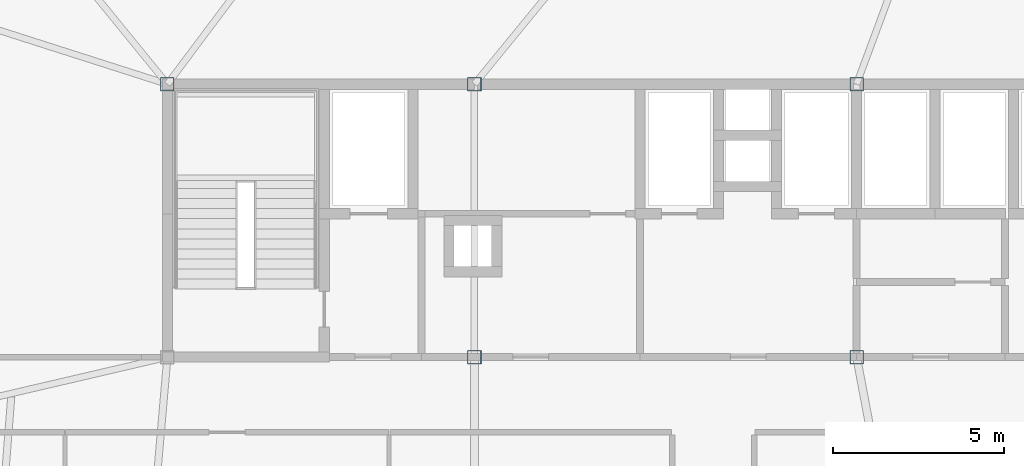
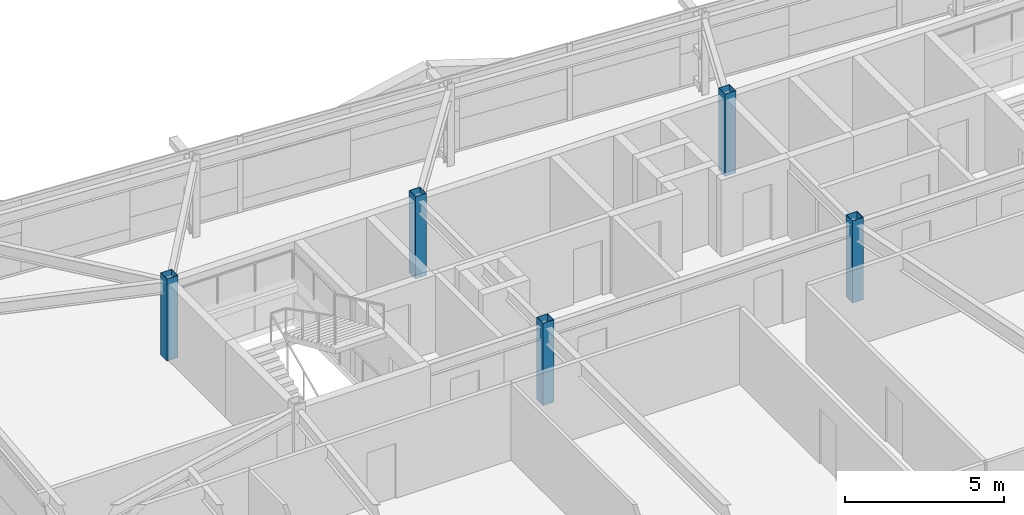
# One storey, part 2 of 39: 5 columns.
"""IFC4 building model written with IfcOpenShell, lengths in metres."""

import ifcopenshell
import ifcopenshell.guid

model = None  # the IFC model being written
_history = None  # IfcOwnerHistory: only IFC2X3 demands one
_inside = {}  # id of a spatial element -> (the spatial element, [elements in it])
_under = {}  # id of a project, library or spatial element -> (it, [spatial elements below it])
_declared = {}  # id of a project -> (the project, [libraries it declares])
_typed = {}  # id of a type object -> (the type object, [elements of that type])
_made_of = {}  # id of a material, layer set ... -> (it, [elements and type objects made of it])


def new_model(schema):
    """Start an empty IFC model of exactly this schema.

    Asked for "IFC4X3", IfcOpenShell would pick the latest addendum, in which some entities
    have other attributes; the version numbers below select the first issue.
    IFC2X3 requires an IfcOwnerHistory on every rooted entity: one is made here for all.
    """
    global model, _history
    if schema == "IFC4X3":
        model = ifcopenshell.file(schema_version=(4, 3, 0, 0))
    else:
        model = ifcopenshell.file(schema=schema)
    _inside.clear()
    _under.clear()
    _declared.clear()
    _typed.clear()
    _made_of.clear()
    _history = None
    if model.schema == "IFC2X3":
        org = make("IfcOrganization", Name="unknown")
        user = make(
            "IfcPersonAndOrganization",
            ThePerson=make("IfcPerson", FamilyName="unknown"),
            TheOrganization=org,
        )
        app = make(
            "IfcApplication",
            ApplicationDeveloper=org,
            Version="unknown",
            ApplicationFullName="unknown",
            ApplicationIdentifier="unknown",
        )
        _history = make(
            "IfcOwnerHistory",
            OwningUser=user,
            OwningApplication=app,
            ChangeAction="ADDED",
            CreationDate=0,
        )
    return model


def make(cls, **values):
    """One entity of the class cls with the attributes given. An attribute that is None is left unset."""
    return model.create_entity(
        cls, **{name: value for name, value in values.items() if value is not None}
    )


def rooted(cls, **values):
    """An entity with a GlobalId (a new one), such as an element, a storey or a relation."""
    return make(cls, GlobalId=ifcopenshell.guid.new(), OwnerHistory=_history, **values)


def si_unit(unit_type, name, prefix=None):
    """IfcSIUnit, for example si_unit("LENGTHUNIT", "METRE", prefix="MILLI")."""
    return make("IfcSIUnit", UnitType=unit_type, Prefix=prefix, Name=name)


def assignment(units):
    """IfcUnitAssignment: the units of a project."""
    return None if units is None else make("IfcUnitAssignment", Units=units)


def point(xyz):
    """IfcCartesianPoint."""
    return None if xyz is None else make("IfcCartesianPoint", Coordinates=xyz)


def direction(xyz):
    """IfcDirection."""
    return None if xyz is None else make("IfcDirection", DirectionRatios=xyz)


def frame(location, z_axis=None, x_axis=None):
    """IfcAxis2Placement3D, a coordinate frame: its origin and axes. An axis left out is left unset."""
    return make(
        "IfcAxis2Placement3D",
        Location=point(location),
        Axis=direction(z_axis),
        RefDirection=direction(x_axis),
    )


def frame_2d(location, x_axis=None):
    """IfcAxis2Placement2D, a coordinate frame in the plane: its origin and x axis."""
    return make(
        "IfcAxis2Placement2D", Location=point(location), RefDirection=direction(x_axis)
    )


def origin():
    """The frame at (0, 0, 0) with its axes left unset."""
    return frame((0.0, 0.0, 0.0))


def origin_2d():
    """The frame at (0, 0) in the plane with its x axis left unset."""
    return frame_2d((0.0, 0.0))


def place(relative_to, where):
    """IfcLocalPlacement: puts the frame where relative to a parent placement (None: the world)."""
    return make(
        "IfcLocalPlacement", PlacementRelTo=relative_to, RelativePlacement=where
    )


def context(
    kind, dimensions, precision=None, world=None, true_north=None, identifier=None
):
    """IfcGeometricRepresentationContext, for example the 3D "Model" context."""
    return make(
        "IfcGeometricRepresentationContext",
        ContextIdentifier=identifier,
        ContextType=kind,
        CoordinateSpaceDimension=dimensions,
        Precision=precision,
        WorldCoordinateSystem=world,
        TrueNorth=true_north,
    )


def subcontext(parent, identifier, kind, view, scale=None):
    """IfcGeometricRepresentationSubContext, for example "Body" below "Model"."""
    return make(
        "IfcGeometricRepresentationSubContext",
        ContextIdentifier=identifier,
        ContextType=kind,
        ParentContext=parent,
        TargetScale=scale,
        TargetView=view,
    )


def project(units=None, contexts=None):
    """IfcProject with its units and contexts."""
    return rooted(
        "IfcProject",
        Name="project",
        RepresentationContexts=contexts,
        UnitsInContext=assignment(units),
    )


def spatial(cls, under=None, at=None, **own):
    """A site, building, storey or space (cls), placed at a placement, below another one or the project."""
    s = rooted(cls, ObjectPlacement=at, **own)
    if under is not None:
        _under.setdefault(under.id(), (under, []))[1].append(s)
    return s


def profile(cls, at=None, kind="AREA", **sizes):
    """A parametric profile (cls). Its sizes go by their IFC names, for example OverallWidth=200.0."""
    return make(cls, ProfileType=kind, Position=at, **sizes)


def hollow_rectangle(**sizes):
    """IfcRectangleHollowProfileDef."""
    return profile("IfcRectangleHollowProfileDef", **sizes)


def extrude(swept, where, along, depth):
    """IfcExtrudedAreaSolid: the profile swept, set in the frame where, extruded along a direction by depth."""
    return make(
        "IfcExtrudedAreaSolid",
        SweptArea=swept,
        Position=where,
        ExtrudedDirection=direction(along),
        Depth=depth,
    )


def shape(context_of_items, identifier, shape_type, items):
    """IfcShapeRepresentation: the items that make up one representation, for example the "Body"."""
    return make(
        "IfcShapeRepresentation",
        ContextOfItems=context_of_items,
        RepresentationIdentifier=identifier,
        RepresentationType=shape_type,
        Items=items,
    )


def source(mapping_origin, context_of_items, identifier, shape_type, items):
    """IfcRepresentationMap: a shape defined once, which mapped items show again and again."""
    return make(
        "IfcRepresentationMap",
        MappingOrigin=mapping_origin,
        MappedRepresentation=shape(context_of_items, identifier, shape_type, items),
    )


def transform(
    local_origin,
    x_axis=None,
    y_axis=None,
    z_axis=None,
    scale=None,
    scale2=None,
    scale3=None,
    uniform=True,
):
    """IfcCartesianTransformationOperator3D, or its non-uniform kind. x_axis, y_axis, z_axis: its Axis1, 2, 3."""
    if uniform:
        return make(
            "IfcCartesianTransformationOperator3D",
            Axis1=direction(x_axis),
            Axis2=direction(y_axis),
            LocalOrigin=point(local_origin),
            Scale=scale,
            Axis3=direction(z_axis),
        )
    return make(
        "IfcCartesianTransformationOperator3DnonUniform",
        Axis1=direction(x_axis),
        Axis2=direction(y_axis),
        LocalOrigin=point(local_origin),
        Scale=scale,
        Axis3=direction(z_axis),
        Scale2=scale2,
        Scale3=scale3,
    )


def mapped(mapping_source, mapping_target):
    """IfcMappedItem: shows the shape of a source again, moved by a transform."""
    return make(
        "IfcMappedItem", MappingSource=mapping_source, MappingTarget=mapping_target
    )


def material(Name=None, Category=None):
    """IfcMaterial."""
    return make("IfcMaterial", Name=Name, Category=Category)


def material_profile(
    of_material, cross_section, Name=None, Category=None, Priority=None
):
    """IfcMaterialProfile: a cross section and its material."""
    return make(
        "IfcMaterialProfile",
        Name=Name,
        Material=of_material,
        Profile=cross_section,
        Priority=Priority,
        Category=Category,
    )


def profile_set(profiles, Name=None, composite=None):
    """IfcMaterialProfileSet."""
    return make(
        "IfcMaterialProfileSet",
        Name=Name,
        MaterialProfiles=profiles,
        CompositeProfile=composite,
    )


def made_of(thing, what):
    """Note that an element or type object is made of a material, layer set ...; save() writes the relation."""
    if what is not None:
        _made_of.setdefault(what.id(), (what, []))[1].append(thing)
    return thing


def type_object(cls, material=None, **own):
    """A type object (cls), such as IfcWallType, which elements share."""
    return made_of(rooted(cls, **own), material)


def element(
    cls,
    number,
    at=None,
    inside=None,
    cuts=None,
    type_object=None,
    material=None,
    context=None,
    identifier="Body",
    shape_type=None,
    held_by="IfcProductDefinitionShape",
    body=None,
    shapes=None,
    **own,
):
    """One element of the class cls, such as IfcWall. Its Tag is "e" and its number.

    at: its placement. inside: the storey or other place that contains it. cuts: it is an
    opening in that element (IfcRelVoidsElement). A single representation is given by context,
    identifier, shape_type and body (its items); several are given by shapes. held_by: the class
    of the entity that holds the representations. save() writes the other relations.
    """
    e = rooted(cls, Tag="e%d" % number, ObjectPlacement=at, **own)
    if body is not None:
        shapes = [shape(context, identifier, shape_type, body)]
    if shapes is not None:
        e.Representation = make(held_by, Representations=shapes)
    if inside is not None:
        _inside.setdefault(inside.id(), (inside, []))[1].append(e)
    if cuts is not None:
        rooted(
            "IfcRelVoidsElement", RelatingBuildingElement=cuts, RelatedOpeningElement=e
        )
    if type_object is not None:
        _typed.setdefault(type_object.id(), (type_object, []))[1].append(e)
    return made_of(e, material)


def aggregate(whole, parts):
    """IfcRelAggregates: a whole, such as a stair, and the parts it consists of."""
    return rooted("IfcRelAggregates", RelatingObject=whole, RelatedObjects=parts)


def save(model, path):
    """Write the relations noted so far, then the file.

    IfcRelAggregates (storeys below a building ...), IfcRelContainedInSpatialStructure (elements
    in a storey), IfcRelDefinesByType, IfcRelAssociatesMaterial and IfcRelDeclares: one each for
    every whole, place, type object, material and project.
    """
    for whole, parts in _under.values():
        aggregate(whole, parts)
    for where, things in _inside.values():
        rooted(
            "IfcRelContainedInSpatialStructure",
            RelatedElements=things,
            RelatingStructure=where,
        )
    for kind, things in _typed.values():
        rooted("IfcRelDefinesByType", RelatedObjects=things, RelatingType=kind)
    for what, things in _made_of.values():
        rooted("IfcRelAssociatesMaterial", RelatedObjects=things, RelatingMaterial=what)
    for by, libraries in _declared.values():
        rooted("IfcRelDeclares", RelatingContext=by, RelatedDefinitions=libraries)
    model.write(path)


model = new_model("IFC4")

# Units and contexts
model_context = context("Model", 3, precision=1e-05, world=origin(), true_north=direction((0.0, 1.0)))
body_context = subcontext(model_context, "Body", "Model", "MODEL_VIEW")
ifc_project = project(units=[si_unit("LENGTHUNIT", "METRE"), si_unit("AREAUNIT", "SQUARE_METRE"), si_unit("VOLUMEUNIT", "CUBIC_METRE"), si_unit("PLANEANGLEUNIT", "RADIAN"), si_unit("MASSUNIT", "GRAM", prefix="KILO")], contexts=[model_context])

# Site, building, storey
site_placement = place(None, origin())
site = spatial("IfcSite", under=ifc_project, at=site_placement, CompositionType="ELEMENT")
building_placement = place(site_placement, origin())
building = spatial("IfcBuilding", under=site, at=building_placement, Name="Taldren Reach Tower", CompositionType="ELEMENT")
storey_placement = place(building_placement, frame((0.0, 0.0, 129.85009765625)))
storey = spatial("IfcBuildingStorey", under=building, at=storey_placement, Name="L39", CompositionType="ELEMENT", Elevation=129.85009765625)

# Columns
ifc_material = material(Name="Steel Gr 450 (C450L0)", Category="steel")
ifc_material_profile = material_profile(ifc_material, hollow_rectangle(XDim=0.39990234375, YDim=0.39990234375, WallThickness=0.01611328125, at=origin_2d()), Name="400x400x16.0SHS")
ifc_profile_set = profile_set([ifc_material_profile], Name="Steel Gr 450 (C450L0)")
column_type = type_object("IfcColumnType", Name="COL-SHS400", PredefinedType="COLUMN", material=ifc_profile_set)
shared_shape = source(origin(), body_context, "Body", "SweptSolid", [
    extrude(hollow_rectangle(XDim=0.39990234375, YDim=0.39990234375, WallThickness=0.01611328125, at=origin_2d()), origin(), (0.0, 0.0, 1.0), 3.14990234375),
])
for number, where, z_axis, x_axis, name in (
    (1, (28.0, 24.0, 0.0), (0.0, 0.0, 1.0), (1.0, 0.0, 0.0), "Mega column MC-C2 L39"),
    (2, (39.199951171875, 24.0, 0.0), (0.0, 0.0, 1.0), (1.0, 0.0, 0.0), "Mega column MC-C3 L39"),
    (3, (19.0, 32.0, 0.0), (0.0, 0.0, 1.0), (1.0, 0.0, 0.0), "Mega column MC-C5 L39"),
    (4, (28.0, 32.0, 0.0), (0.0, 0.0, 1.0), (1.0, 0.0, 0.0), "Mega column MC-C6 L39"),
    (5, (39.199951171875, 32.0, 0.0), (0.0, 0.0, 1.0), (1.0, 0.0, 0.0), "Mega column MC-C7 L39"),
):
    element("IfcColumn", number, at=place(storey_placement, frame(where, z_axis=z_axis, x_axis=x_axis)), inside=storey, type_object=column_type, Name=name, PredefinedType="COLUMN", context=body_context, shape_type="MappedRepresentation", body=[
        mapped(shared_shape, transform((0.0, 0.0, 0.0), scale=1.0)),
    ])

save(model, "model.ifc")
